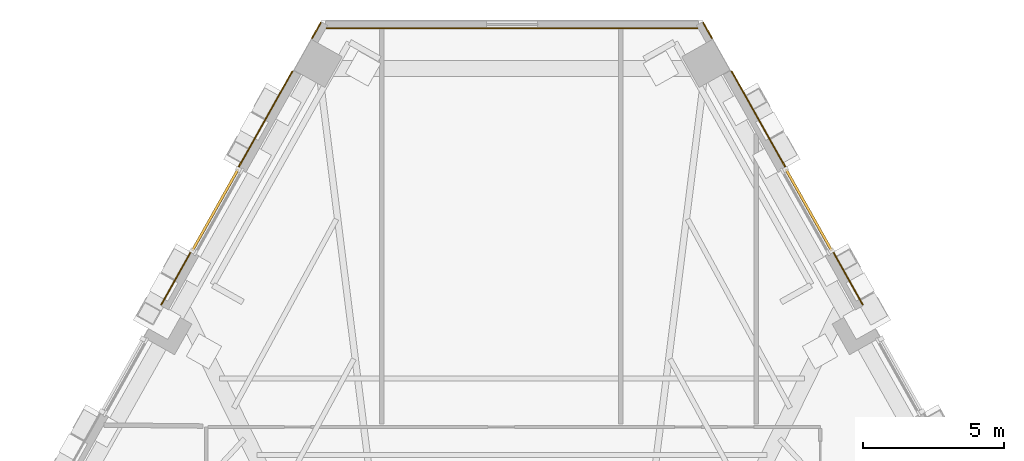
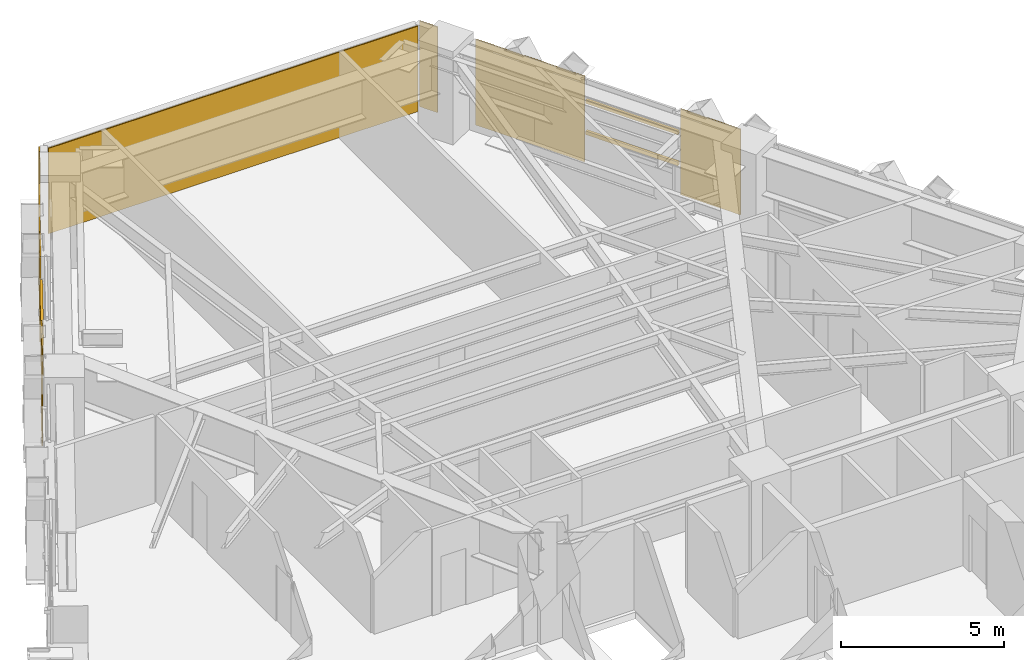
# One storey, part 14 of 14: 7 coverings, 4 shading devices.
"""IFC4 building model written with IfcOpenShell, lengths in metres."""

from ifc_helpers import new_model, si_unit, direction, frame, origin, origin_2d, place, context, subcontext, project, spatial, polyline, rectangle, outline, extrude, material, layer, layer_set, material_profile, profile_set, type_object, element, save


model = new_model("IFC4")

# Units and contexts
model_context = context("Model", 3, precision=1e-05, world=origin(), true_north=direction((0.0, 1.0)))
body_context = subcontext(model_context, "Body", "Model", "MODEL_VIEW")
ifc_project = project(units=[si_unit("LENGTHUNIT", "METRE"), si_unit("AREAUNIT", "SQUARE_METRE"), si_unit("VOLUMEUNIT", "CUBIC_METRE"), si_unit("PLANEANGLEUNIT", "RADIAN"), si_unit("MASSUNIT", "GRAM", prefix="KILO")], contexts=[model_context])

# Site, building, storey
site_placement = place(None, origin())
site = spatial("IfcSite", under=ifc_project, at=site_placement, CompositionType="ELEMENT")
building_placement = place(site_placement, origin())
building = spatial("IfcBuilding", under=site, at=building_placement, Name="Quenlor Broadcast Tower", CompositionType="ELEMENT")
storey_placement = place(building_placement, frame((0.0, 0.0, 73.10009765625)))
storey = spatial("IfcBuildingStorey", under=building, at=storey_placement, Name="L19", CompositionType="ELEMENT", Elevation=73.10009765625)

# Shading devices
ifc_material_1 = material(Name="Architectural Terracotta Ceramic", Category="masonry")
ifc_material_profile = material_profile(ifc_material_1, rectangle(XDim=0.090087890625, YDim=0.139892578125, at=origin_2d()))
ifc_profile_set = profile_set([ifc_material_profile], Name="Architectural Terracotta Ceramic BAG90x140")
shading_device_type = type_object("IfcShadingDeviceType", Name="Copper Terracotta Baguette Solar Screen 140", PredefinedType="USERDEFINED", material=ifc_profile_set)
for number, where, z_axis, x_axis, name in (
    (1, (9.680908203125, 16.15478515625, 1.169921875), (0.490233146241, -0.871591339061, 0.0), (0.871591339061, 0.490233146241, 0.0), "L19 Terracotta Baguette Screen 1"),
    (2, (9.680908203125, 16.15478515625, 2.33984375), (0.490233146241, -0.871591339061, 0.0), (0.871591339061, 0.490233146241, 0.0), "L19 Terracotta Baguette Screen 2"),
    (3, (-11.299072265625, 13.27783203125, 1.169921875), (0.490233146241, 0.871591339061, 0.0), (-0.871591339061, 0.490233146241, 0.0), "L19 Terracotta Baguette Screen 1"),
    (4, (-11.299072265625, 13.27783203125, 2.33984375), (0.490233146241, 0.871591339061, 0.0), (-0.871591339061, 0.490233146241, 0.0), "L19 Terracotta Baguette Screen 2"),
):
    element("IfcShadingDevice", number, at=place(storey_placement, frame(where, z_axis=z_axis, x_axis=x_axis)), inside=storey, type_object=shading_device_type, Name=name, ObjectType="BAGUETTE", PredefinedType="USERDEFINED", context=body_context, shape_type="SweptSolid", body=[
        extrude(rectangle(XDim=0.090087890625, YDim=0.139892578125, at=origin_2d()), origin(), (0.0, 0.0, 1.0), 3.30078125),
    ])

# Coverings
ifc_material_2 = material(Name="Architectural Terracotta Ceramic", Category="masonry")
ifc_layer = layer(ifc_material_2, 0.044921875)
ifc_layer_set = layer_set([ifc_layer], Name="Fluted Terracotta Rainscreen Cladding Panel")
covering_type = type_object("IfcCoveringType", Name="Fluted Terracotta Rainscreen Cladding Panel", PredefinedType="CLADDING", material=ifc_layer_set)
covering_1_placement = place(storey_placement, frame((0.0, 0.0, 0.02001953125)))
element("IfcCovering", 5, at=covering_1_placement, inside=storey, type_object=covering_type, Name="L19 Terracotta Rainscreen Cladding L19-SHD-NES0", PredefinedType="CLADDING", context=body_context, shape_type="SweptSolid", body=[
    extrude(outline(polyline([(6.734130859375, 21.330078125), (7.052001953125, 20.76513671875), (7.09130859375, 20.787109375), (6.7734375, 21.35205078125), (6.734130859375, 21.330078125)])), origin(), (0.0, 0.0, 1.0), 3.2099609375),
])
covering_2_placement = place(storey_placement, frame((0.0, 0.0, 0.02001953125)))
element("IfcCovering", 6, at=covering_2_placement, inside=storey, type_object=covering_type, Name="L19 Terracotta Rainscreen Cladding L19-NEA-SP1", PredefinedType="CLADDING", context=body_context, shape_type="SweptSolid", body=[
    extrude(outline(polyline([(7.735107421875, 19.612060546875), (9.645751953125, 16.215576171875), (9.684814453125, 16.237548828125), (7.7744140625, 19.634033203125), (7.735107421875, 19.612060546875)])), origin(), (0.0, 0.0, 1.0), 3.2099609375),
])
covering_3_placement = place(storey_placement, frame((0.0, 0.0, 0.02001953125)))
element("IfcCovering", 7, at=covering_3_placement, inside=storey, type_object=covering_type, Name="L19 Terracotta Rainscreen Cladding L19-NEA-SP2", PredefinedType="CLADDING", context=body_context, shape_type="SweptSolid", body=[
    extrude(outline(polyline([(11.33251953125, 13.21630859375), (12.380615234375, 11.353515625), (12.419677734375, 11.37548828125), (11.371826171875, 13.23828125), (11.33251953125, 13.21630859375)])), origin(), (0.0, 0.0, 1.0), 3.2099609375),
])
covering_4_placement = place(storey_placement, frame((0.0, 0.0, 0.02001953125)))
element("IfcCovering", 8, at=covering_4_placement, inside=storey, type_object=covering_type, Name="L19 Terracotta Rainscreen Cladding L19-SHD-NWS1", PredefinedType="CLADDING", context=body_context, shape_type="SweptSolid", body=[
    extrude(outline(polyline([(-7.052001953125, 20.76513671875), (-6.734130859375, 21.330078125), (-6.7734375, 21.35205078125), (-7.09130859375, 20.787109375), (-7.052001953125, 20.76513671875)])), origin(), (0.0, 0.0, 1.0), 3.2099609375),
])
covering_5_placement = place(storey_placement, frame((0.0, 0.0, 0.02001953125)))
element("IfcCovering", 9, at=covering_5_placement, inside=storey, type_object=covering_type, Name="L19 Terracotta Rainscreen Cladding L19-NWC-SP1", PredefinedType="CLADDING", context=body_context, shape_type="SweptSolid", body=[
    extrude(outline(polyline([(-12.380615234375, 11.353515625), (-11.33251953125, 13.21630859375), (-11.371826171875, 13.23828125), (-12.419677734375, 11.37548828125), (-12.380615234375, 11.353515625)])), origin(), (0.0, 0.0, 1.0), 3.2099609375),
])
covering_6_placement = place(storey_placement, frame((0.0, 0.0, 0.02001953125)))
element("IfcCovering", 10, at=covering_6_placement, inside=storey, type_object=covering_type, Name="L19 Terracotta Rainscreen Cladding L19-NWC-SP2", PredefinedType="CLADDING", context=body_context, shape_type="SweptSolid", body=[
    extrude(outline(polyline([(-9.645751953125, 16.215576171875), (-7.735107421875, 19.612060546875), (-7.7744140625, 19.634033203125), (-9.684814453125, 16.237548828125), (-9.645751953125, 16.215576171875)])), origin(), (0.0, 0.0, 1.0), 3.2099609375),
])
covering_7_placement = place(storey_placement, frame((0.0, 0.0, 0.02001953125)))
element("IfcCovering", 11, at=covering_7_placement, inside=storey, type_object=covering_type, Name="L19 Terracotta Rainscreen Cladding L19-CNR-02", PredefinedType="CLADDING", context=body_context, shape_type="SweptSolid", body=[
    extrude(outline(polyline([(6.568359375, 21.159912109375), (-6.558349609375, 21.159912109375), (-6.558349609375, 21.114990234375), (6.568359375, 21.114990234375), (6.568359375, 21.159912109375)])), origin(), (0.0, 0.0, 1.0), 3.2099609375),
])

save(model, "model.ifc")
